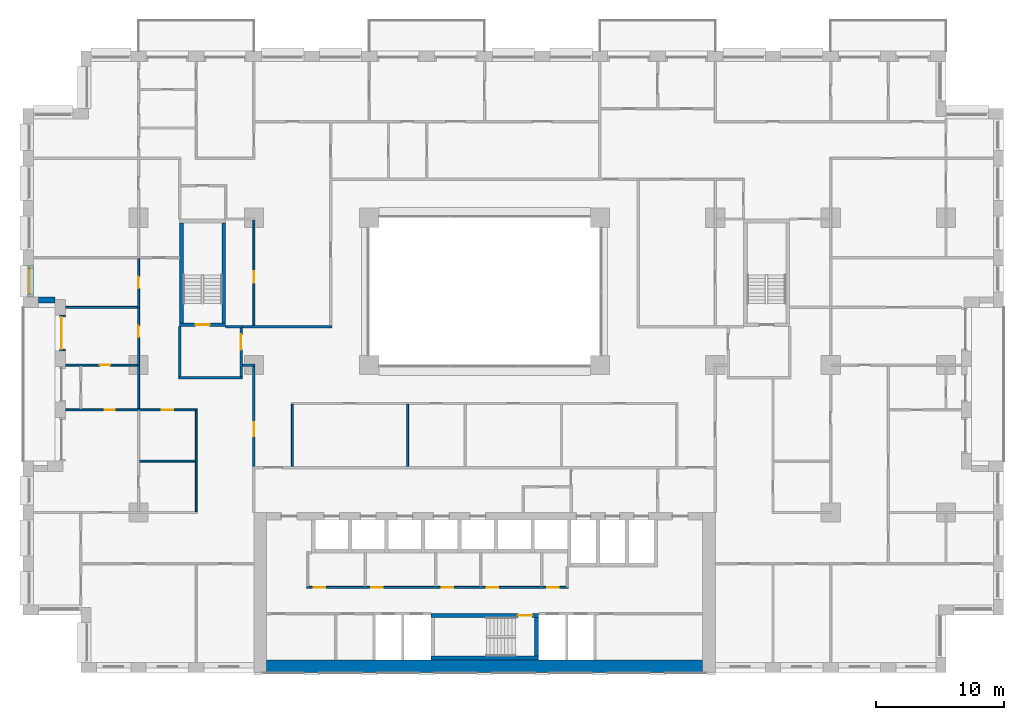
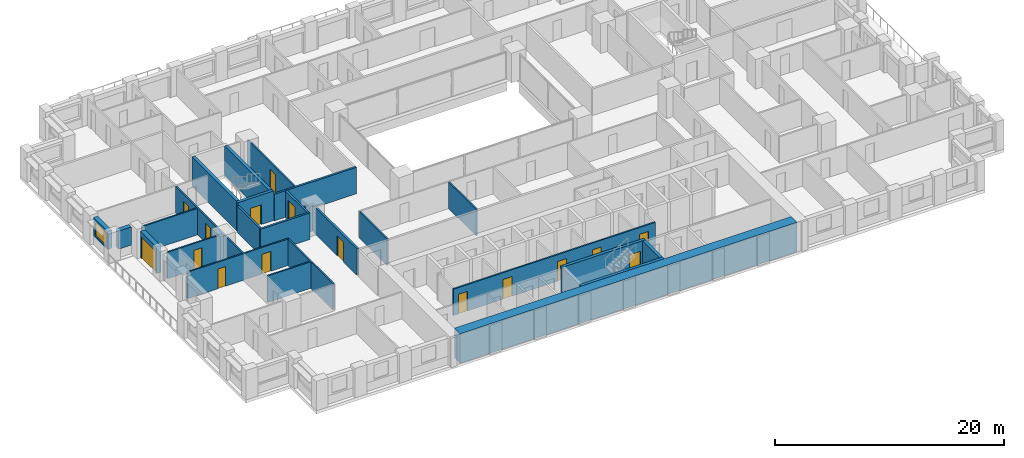
# One storey, part 10 of 20: 27 walls, 16 doors, 1 window, 17 openings.
"""IFC4 building model written with IfcOpenShell, lengths in metres."""

from ifc_helpers import new_model, si_unit, direction, frame, frame_2d, origin, place, context, subcontext, project, spatial, rectangle, extrude, material, layer, layer_set, type_object, element, fill, save


model = new_model("IFC4")

# Units and contexts
model_context = context("Model", 3, precision=1e-05, world=origin(), true_north=direction((0.0, 1.0)))
body_context = subcontext(model_context, "Body", "Model", "MODEL_VIEW")
ifc_project = project(units=[si_unit("LENGTHUNIT", "METRE"), si_unit("AREAUNIT", "SQUARE_METRE"), si_unit("VOLUMEUNIT", "CUBIC_METRE"), si_unit("PLANEANGLEUNIT", "RADIAN"), si_unit("MASSUNIT", "GRAM", prefix="KILO")], contexts=[model_context])

# Site, building, storey
site_placement = place(None, origin())
site = spatial("IfcSite", under=ifc_project, at=site_placement, CompositionType="ELEMENT")
building_placement = place(site_placement, origin())
building = spatial("IfcBuilding", under=site, at=building_placement, Name="Brigalow Station Residences", CompositionType="ELEMENT")
storey_placement = place(building_placement, frame((0.0, 0.0, 66.75)))
storey = spatial("IfcBuildingStorey", under=building, at=storey_placement, Name="L19", CompositionType="ELEMENT", Elevation=66.75)

# Wall, opening, window
ifc_material_1 = material(Name="Clay brick masonry", Category="masonry")
ifc_layer_1 = layer(ifc_material_1, 0.449951171875)
ifc_layer_set_1 = layer_set([ifc_layer_1], Name="BRICK INFILL WALL 450")
wall_type_1 = type_object("IfcWallType", Name="BRICK INFILL WALL 450", PredefinedType="SOLIDWALL", material=ifc_layer_set_1)
wall_1_placement = place(storey_placement, frame((0.574951171875, 31.77490234375, 0.89990234375), z_axis=(0.0, 0.0, 1.0), x_axis=(0.0, -1.0, 0.0)))
wall_1 = element("IfcWall", 1, at=wall_1_placement, inside=storey, type_object=wall_type_1, Name="L19/ewall/W-L19-45", PredefinedType="SOLIDWALL", context=body_context, shape_type="SweptSolid", body=[
    extrude(rectangle(XDim=2.474853515625, YDim=0.449951171875, at=frame_2d((1.2373046875, 0.0))), origin(), (0.0, 0.0, 1.0), 1.93017578125),
])
opening_1_placement = place(wall_1_placement, frame((0.237548828125, 0.0, 0.14990234375)))
opening_1 = element("IfcOpeningElement", 2, at=opening_1_placement, cuts=wall_1, Name="Opening WT-7", PredefinedType="OPENING", context=body_context, shape_type="SweptSolid", body=[
    extrude(rectangle(XDim=2.0, YDim=1.5, at=frame_2d((1.0, 0.75))), frame((0.0, 0.23486328125, 0.0), z_axis=(0.0, -1.0, 0.0), x_axis=(1.0, 0.0, 0.0)), (0.0, 0.0, 1.0), 0.469970703125),
])
ifc_material_2 = material(Name="Anodised aluminium frame with double glazing", Category="aluminium")
window_type = type_object("IfcWindowType", Name="WINDOW 2000x1500", PartitioningType="SINGLE_PANEL", PredefinedType="WINDOW", material=ifc_material_2)
window_placement = place(opening_1_placement, origin())
window = element("IfcWindow", 3, at=window_placement, inside=storey, type_object=window_type, Name="L19/window/W-L19-45", OverallHeight=1.5, OverallWidth=2.0, PartitioningType="SINGLE_PANEL", PredefinedType="WINDOW", context=body_context, shape_type="SweptSolid", body=[
    extrude(rectangle(XDim=2.0, YDim=1.5, at=frame_2d((1.0, 0.75))), frame((0.0, -0.06494140625, 0.0), z_axis=(0.0, -1.0, 0.0), x_axis=(1.0, 0.0, 0.0)), (0.0, 0.0, 1.0), 0.06005859375),
])
fill(opening_1, window)

# Wall
wall_2_placement = place(storey_placement, frame((1.199951171875, 29.074951171875, 0.89990234375), z_axis=(0.0, 0.0, 1.0), x_axis=(1.0, 0.0, 0.0)))
element("IfcWall", 4, at=wall_2_placement, inside=storey, type_object=wall_type_1, Name="L19/ewall/W-L19-46", PredefinedType="SOLIDWALL", context=body_context, shape_type="SweptSolid", body=[
    extrude(rectangle(XDim=1.300048828125, YDim=0.449951171875, at=frame_2d((0.64990234375, 0.0))), origin(), (0.0, 0.0, 1.0), 1.93017578125),
])

# Wall, opening, door
wall_3_placement = place(storey_placement, frame((3.074951171875, 27.89990234375, 0.0), z_axis=(0.0, 0.0, 1.0), x_axis=(0.0, -1.0, 0.0)))
wall_3 = element("IfcWall", 5, at=wall_3_placement, inside=storey, type_object=wall_type_1, Name="L19/ewall/W-L19-47", PredefinedType="SOLIDWALL", context=body_context, shape_type="SweptSolid", body=[
    extrude(rectangle(XDim=2.7998046875, YDim=0.449951171875, at=frame_2d((1.39990234375, 0.0))), origin(), (0.0, 0.0, 1.0), 2.830078125),
])
opening_2_placement = place(wall_3_placement, frame((0.14990234375, 0.0, 0.0)))
opening_2 = element("IfcOpeningElement", 6, at=opening_2_placement, cuts=wall_3, Name="Opening D-B2500", PredefinedType="OPENING", context=body_context, shape_type="SweptSolid", body=[
    extrude(rectangle(XDim=2.5, YDim=2.300048828125, at=frame_2d((1.25, 1.14990234375))), frame((0.0, 0.23486328125, 0.0), z_axis=(0.0, -1.0, 0.0), x_axis=(1.0, 0.0, 0.0)), (0.0, 0.0, 1.0), 0.469970703125),
])
ifc_material_3 = material(Name="Anodised aluminium frame with double glazing", Category="aluminium")
door_type_1 = type_object("IfcDoorType", Name="BALCONY SLIDING DOOR 2500x2300", OperationType="SLIDING_TO_LEFT", PredefinedType="DOOR", material=ifc_material_3)
door_1_placement = place(opening_2_placement, origin())
door_1 = element("IfcDoor", 7, at=door_1_placement, inside=storey, type_object=door_type_1, Name="L19/balcony-door/W-L19-47", OperationType="SLIDING_TO_LEFT", OverallHeight=2.300048828125, OverallWidth=2.5, PredefinedType="DOOR", context=body_context, shape_type="SweptSolid", body=[
    extrude(rectangle(XDim=2.5, YDim=2.300048828125, at=frame_2d((1.25, 1.14990234375))), frame((0.0, -0.06982421875, 0.0), z_axis=(0.0, -1.0, 0.0), x_axis=(1.0, 0.0, 0.0)), (0.0, 0.0, 1.0), 0.050048828125),
])
fill(opening_2, door_1)

# Walls
ifc_material_4 = material(Name="Concrete C80", Category="concrete")
ifc_layer_2 = layer(ifc_material_4, 1.0)
ifc_layer_set_2 = layer_set([ifc_layer_2], Name="CORE SHEAR WALL 1000 C80")
wall_type_2 = type_object("IfcWallType", Name="CORE SHEAR WALL 1000 C80", PredefinedType="SHEAR", material=ifc_layer_set_2)
wall_4_placement = place(storey_placement, frame((19.0, 0.5, 0.0), z_axis=(0.0, 0.0, 1.0), x_axis=(1.0, 0.0, 0.0)))
element("IfcWall", 8, at=wall_4_placement, inside=storey, type_object=wall_type_2, Name="CORE WALL OUT-S L19", PredefinedType="SHEAR", context=body_context, shape_type="SweptSolid", body=[
    extrude(rectangle(XDim=34.0, YDim=1.0, at=frame_2d((17.0, 0.0))), origin(), (0.0, 0.0, 1.0), 3.14990234375),
])
ifc_material_5 = material(Name="Concrete C80", Category="concrete")
ifc_layer_3 = layer(ifc_material_5, 0.300048828125)
ifc_layer_set_3 = layer_set([ifc_layer_3], Name="CORE SHEAR WALL 300 C80")
wall_type_3 = type_object("IfcWallType", Name="CORE SHEAR WALL 300 C80", PredefinedType="SHEAR", material=ifc_layer_set_3)
wall_5_placement = place(storey_placement, frame((31.800048828125, 1.14990234375, 0.0), z_axis=(0.0, 0.0, 1.0), x_axis=(1.0, 0.0, 0.0)))
element("IfcWall", 9, at=wall_5_placement, inside=storey, type_object=wall_type_3, Name="CORE WALL ST-S2-S L19", PredefinedType="SHEAR", context=body_context, shape_type="SweptSolid", body=[
    extrude(rectangle(XDim=8.39990234375, YDim=0.300048828125, at=frame_2d((4.199951171875, 0.0))), origin(), (0.0, 0.0, 1.0), 3.14990234375),
])

# Wall, opening, door
wall_6_placement = place(storey_placement, frame((31.800048828125, 4.449951171875, 0.0), z_axis=(0.0, 0.0, 1.0), x_axis=(1.0, 0.0, 0.0)))
wall_6 = element("IfcWall", 10, at=wall_6_placement, inside=storey, type_object=wall_type_3, Name="CORE WALL ST-S2-N L19", PredefinedType="SHEAR", context=body_context, shape_type="SweptSolid", body=[
    extrude(rectangle(XDim=8.39990234375, YDim=0.300048828125, at=frame_2d((4.199951171875, 0.0))), origin(), (0.0, 0.0, 1.0), 3.14990234375),
])
opening_3_placement = place(wall_6_placement, frame((6.800048828125, 0.0, 0.0)))
opening_3 = element("IfcOpeningElement", 11, at=opening_3_placement, cuts=wall_6, Name="Opening D-5001", PredefinedType="OPENING", context=body_context, shape_type="SweptSolid", body=[
    extrude(rectangle(XDim=1.10009765625, YDim=2.10009765625, at=frame_2d((0.550048828125, 1.050048828125))), frame((0.0, 0.16015625, 0.0), z_axis=(0.0, -1.0, 0.0), x_axis=(1.0, 0.0, 0.0)), (0.0, 0.0, 1.0), 0.320068359375),
])
ifc_material_6 = material(Name="Steel fire door leaf in steel frame", Category="steel")
door_type_2 = type_object("IfcDoorType", Name="STAIR DOOR 1100 x 2100 FD60S", OperationType="SINGLE_SWING_LEFT", PredefinedType="DOOR", material=ifc_material_6)
door_2_placement = place(opening_3_placement, frame((1.10009765625, 0.0, 0.0), z_axis=(0.0, 0.0, 1.0), x_axis=(-1.0, 0.0, 0.0)))
door_2 = element("IfcDoor", 12, at=door_2_placement, inside=storey, type_object=door_type_2, Name="D-5001", OperationType="SINGLE_SWING_LEFT", OverallHeight=2.10009765625, OverallWidth=1.10009765625, PredefinedType="DOOR", context=body_context, shape_type="SweptSolid", body=[
    extrude(rectangle(XDim=1.10009765625, YDim=2.10009765625, at=frame_2d((0.550048828125, 1.050048828125))), frame((0.0, 0.02490234375, 0.0), z_axis=(0.0, -1.0, 0.0), x_axis=(1.0, 0.0, 0.0)), (0.0, 0.0, 1.0), 0.050048828125),
])
fill(opening_3, door_2)

# Wall
wall_7_placement = place(storey_placement, frame((40.050048828125, 1.300048828125, 0.0), z_axis=(0.0, 0.0, 1.0), x_axis=(0.0, 1.0, 0.0)))
element("IfcWall", 13, at=wall_7_placement, inside=storey, type_object=wall_type_3, Name="CORE WALL ST-S2-E L19", PredefinedType="SHEAR", context=body_context, shape_type="SweptSolid", body=[
    extrude(rectangle(XDim=3.0, YDim=0.300048828125, at=frame_2d((1.5, 0.0))), origin(), (0.0, 0.0, 1.0), 3.14990234375),
])

# Wall, opening, door
wall_8_placement = place(storey_placement, frame((12.199951171875, 27.14990234375, 0.0), z_axis=(0.0, 0.0, 1.0), x_axis=(1.0, 0.0, 0.0)))
wall_8 = element("IfcWall", 14, at=wall_8_placement, inside=storey, type_object=wall_type_3, Name="CORE WALL ST-S1-S L19", PredefinedType="SHEAR", context=body_context, shape_type="SweptSolid", body=[
    extrude(rectangle(XDim=3.60009765625, YDim=0.300048828125, at=frame_2d((1.800048828125, 0.0))), origin(), (0.0, 0.0, 1.0), 3.14990234375),
])
opening_4_placement = place(wall_8_placement, frame((1.25, 0.0, 0.0)))
opening_4 = element("IfcOpeningElement", 15, at=opening_4_placement, cuts=wall_8, Name="Opening D-5015", PredefinedType="OPENING", context=body_context, shape_type="SweptSolid", body=[
    extrude(rectangle(XDim=1.10009765625, YDim=2.10009765625, at=frame_2d((0.550048828125, 1.050048828125))), frame((0.0, 0.16015625, 0.0), z_axis=(0.0, -1.0, 0.0), x_axis=(1.0, 0.0, 0.0)), (0.0, 0.0, 1.0), 0.320068359375),
])
door_3_placement = place(opening_4_placement, origin())
door_3 = element("IfcDoor", 16, at=door_3_placement, inside=storey, type_object=door_type_2, Name="D-5015", OperationType="SINGLE_SWING_LEFT", OverallHeight=2.10009765625, OverallWidth=1.10009765625, PredefinedType="DOOR", context=body_context, shape_type="SweptSolid", body=[
    extrude(rectangle(XDim=1.10009765625, YDim=2.10009765625, at=frame_2d((0.550048828125, 1.050048828125))), frame((0.0, 0.02490234375, 0.0), z_axis=(0.0, -1.0, 0.0), x_axis=(1.0, 0.0, 0.0)), (0.0, 0.0, 1.0), 0.050048828125),
])
fill(opening_4, door_3)

# Walls
for number, where, z_axis, x_axis, name in (
    (17, (12.35009765625, 27.300048828125, 0.0), (0.0, 0.0, 1.0), (0.0, 1.0, 0.0), "CORE WALL ST-S1-W L19"),
    (18, (15.64990234375, 27.300048828125, 0.0), (0.0, 0.0, 1.0), (0.0, 1.0, 0.0), "CORE WALL ST-S1-E L19"),
):
    element("IfcWall", number, at=place(storey_placement, frame(where, z_axis=z_axis, x_axis=x_axis)), inside=storey, type_object=wall_type_3, Name=name, PredefinedType="SHEAR", context=body_context, shape_type="SweptSolid", body=[
        extrude(rectangle(XDim=7.800048828125, YDim=0.300048828125, at=frame_2d((3.89990234375, 0.0))), origin(), (0.0, 0.0, 1.0), 3.14990234375),
    ])
ifc_material_7 = material(Name="Concrete blockwork", Category="masonry")
ifc_layer_4 = layer(ifc_material_7, 0.199951171875)
ifc_layer_set_4 = layer_set([ifc_layer_4], Name="FIRE RATED CORE PARTITION 200")
wall_type_4 = type_object("IfcWallType", Name="FIRE RATED CORE PARTITION 200", PredefinedType="PARTITIONING", material=ifc_layer_set_4)
wall_9_placement = place(storey_placement, frame((12.10009765625, 23.0, 0.0), z_axis=(0.0, 0.0, 1.0), x_axis=(1.0, 0.0, 0.0)))
element("IfcWall", 19, at=wall_9_placement, inside=storey, type_object=wall_type_4, Name="PW-5023", PredefinedType="PARTITIONING", context=body_context, shape_type="SweptSolid", body=[
    extrude(rectangle(XDim=5.0, YDim=0.199951171875, at=frame_2d((2.5, 0.0))), origin(), (0.0, 0.0, 1.0), 2.830078125),
])
wall_10_placement = place(storey_placement, frame((15.800048828125, 27.0, 0.0), z_axis=(0.0, 0.0, 1.0), x_axis=(1.0, 0.0, 0.0)))
element("IfcWall", 20, at=wall_10_placement, inside=storey, type_object=wall_type_4, Name="PW-5025", PredefinedType="PARTITIONING", context=body_context, shape_type="SweptSolid", body=[
    extrude(rectangle(XDim=1.300048828125, YDim=0.199951171875, at=frame_2d((0.64990234375, 0.0))), origin(), (0.0, 0.0, 1.0), 2.830078125),
])
wall_11_placement = place(storey_placement, frame((12.199951171875, 23.10009765625, 0.0), z_axis=(0.0, 0.0, 1.0), x_axis=(0.0, 1.0, 0.0)))
element("IfcWall", 21, at=wall_11_placement, inside=storey, type_object=wall_type_4, Name="PW-5034", PredefinedType="PARTITIONING", context=body_context, shape_type="SweptSolid", body=[
    extrude(rectangle(XDim=3.89990234375, YDim=0.199951171875, at=frame_2d((1.949951171875, 0.0))), origin(), (0.0, 0.0, 1.0), 2.830078125),
])

# Wall, opening, door
wall_12_placement = place(storey_placement, frame((17.0, 23.10009765625, 0.0), z_axis=(0.0, 0.0, 1.0), x_axis=(0.0, 1.0, 0.0)))
wall_12 = element("IfcWall", 22, at=wall_12_placement, inside=storey, type_object=wall_type_4, Name="PW-5035", PredefinedType="PARTITIONING", context=body_context, shape_type="SweptSolid", body=[
    extrude(rectangle(XDim=3.7998046875, YDim=0.199951171875, at=frame_2d((1.89990234375, 0.0))), origin(), (0.0, 0.0, 1.0), 2.830078125),
])
opening_5_placement = place(wall_12_placement, frame((2.10009765625, 0.0, 0.0)))
opening_5 = element("IfcOpeningElement", 23, at=opening_5_placement, cuts=wall_12, Name="Opening D-5016", PredefinedType="OPENING", context=body_context, shape_type="SweptSolid", body=[
    extrude(rectangle(XDim=1.199951171875, YDim=2.10009765625, at=frame_2d((0.60009765625, 1.050048828125))), frame((0.0, 0.10986328125, 0.0), z_axis=(0.0, -1.0, 0.0), x_axis=(1.0, 0.0, 0.0)), (0.0, 0.0, 1.0), 0.219970703125),
])
ifc_material_8 = material(Name="Steel fire door leaf in steel frame", Category="steel")
door_type_3 = type_object("IfcDoorType", Name="STAIR LOBBY DOOR 1200 x 2100 FD60S", OperationType="SINGLE_SWING_LEFT", PredefinedType="DOOR", material=ifc_material_8)
door_4_placement = place(opening_5_placement, origin())
door_4 = element("IfcDoor", 24, at=door_4_placement, inside=storey, type_object=door_type_3, Name="D-5016", OperationType="SINGLE_SWING_RIGHT", OverallHeight=2.10009765625, OverallWidth=1.199951171875, PredefinedType="DOOR", context=body_context, shape_type="SweptSolid", body=[
    extrude(rectangle(XDim=1.199951171875, YDim=2.10009765625, at=frame_2d((0.60009765625, 1.050048828125))), frame((0.0, 0.02490234375, 0.0), z_axis=(0.0, -1.0, 0.0), x_axis=(1.0, 0.0, 0.0)), (0.0, 0.0, 1.0), 0.050048828125),
])
fill(opening_5, door_4)

ifc_material_9 = material(Name="Plasterboard on steel stud partition", Category="steel")
ifc_layer_5 = layer(ifc_material_9, 0.14990234375)
ifc_layer_set_5 = layer_set([ifc_layer_5], Name="FLAT PARTITION 150")
wall_type_5 = type_object("IfcWallType", Name="FLAT PARTITION 150", PredefinedType="PARTITIONING", material=ifc_layer_set_5)
wall_13_placement = place(storey_placement, frame((3.300048828125, 24.0, 0.0), z_axis=(0.0, 0.0, 1.0), x_axis=(1.0, 0.0, 0.0)))
wall_13 = element("IfcWall", 25, at=wall_13_placement, inside=storey, type_object=wall_type_5, Name="PW-1G02", PredefinedType="PARTITIONING", context=body_context, shape_type="SweptSolid", body=[
    extrude(rectangle(XDim=5.625, YDim=0.14990234375, at=frame_2d((2.8125, 0.0))), origin(), (0.0, 0.0, 1.0), 2.830078125),
])
opening_6_placement = place(wall_13_placement, frame((2.675048828125, 0.0, 0.0)))
opening_6 = element("IfcOpeningElement", 26, at=opening_6_placement, cuts=wall_13, Name="Opening D-1G04", PredefinedType="OPENING", context=body_context, shape_type="SweptSolid", body=[
    extrude(rectangle(XDim=0.800048828125, YDim=2.10009765625, at=frame_2d((0.39990234375, 1.050048828125))), frame((0.0, 0.0849609375, 0.0), z_axis=(0.0, -1.0, 0.0), x_axis=(1.0, 0.0, 0.0)), (0.0, 0.0, 1.0), 0.169921875),
])
ifc_material_10 = material(Name="Solid-core timber door leaf", Category="wood")
door_type_4 = type_object("IfcDoorType", Name="INTERNAL DOOR 800 x 2100", OperationType="SINGLE_SWING_LEFT", PredefinedType="DOOR", material=ifc_material_10)
door_5_placement = place(opening_6_placement, frame((0.800048828125, 0.0, 0.0), z_axis=(0.0, 0.0, 1.0), x_axis=(-1.0, 0.0, 0.0)))
door_5 = element("IfcDoor", 27, at=door_5_placement, inside=storey, type_object=door_type_4, Name="D-1G04", OperationType="SINGLE_SWING_RIGHT", OverallHeight=2.10009765625, OverallWidth=0.800048828125, PredefinedType="DOOR", context=body_context, shape_type="SweptSolid", body=[
    extrude(rectangle(XDim=0.800048828125, YDim=2.10009765625, at=frame_2d((0.39990234375, 1.050048828125))), frame((0.0, 0.02490234375, 0.0), z_axis=(0.0, -1.0, 0.0), x_axis=(1.0, 0.0, 0.0)), (0.0, 0.0, 1.0), 0.050048828125),
])
fill(opening_6, door_5)

# Wall, openings, doors
wall_14_placement = place(storey_placement, frame((3.300048828125, 20.5, 0.0), z_axis=(0.0, 0.0, 1.0), x_axis=(1.0, 0.0, 0.0)))
wall_14 = element("IfcWall", 28, at=wall_14_placement, inside=storey, type_object=wall_type_5, Name="PW-1G15", PredefinedType="PARTITIONING", context=body_context, shape_type="SweptSolid", body=[
    extrude(rectangle(XDim=10.27490234375, YDim=0.14990234375, at=frame_2d((5.137451171875, 0.0))), origin(), (0.0, 0.0, 1.0), 2.830078125),
])
opening_7_placement = place(wall_14_placement, frame((7.5, 0.0, 0.0)))
opening_7 = element("IfcOpeningElement", 29, at=opening_7_placement, cuts=wall_14, Name="Opening D-1G03", PredefinedType="OPENING", context=body_context, shape_type="SweptSolid", body=[
    extrude(rectangle(XDim=0.89990234375, YDim=2.10009765625, at=frame_2d((0.449951171875, 1.050048828125))), frame((0.0, 0.0849609375, 0.0), z_axis=(0.0, -1.0, 0.0), x_axis=(1.0, 0.0, 0.0)), (0.0, 0.0, 1.0), 0.169921875),
])
opening_8_placement = place(wall_14_placement, frame((3.050048828125, 0.0, 0.0)))
opening_8 = element("IfcOpeningElement", 30, at=opening_8_placement, cuts=wall_14, Name="Opening D-1G09", PredefinedType="OPENING", context=body_context, shape_type="SweptSolid", body=[
    extrude(rectangle(XDim=0.800048828125, YDim=2.10009765625, at=frame_2d((0.39990234375, 1.050048828125))), frame((0.0, 0.0849609375, 0.0), z_axis=(0.0, -1.0, 0.0), x_axis=(1.0, 0.0, 0.0)), (0.0, 0.0, 1.0), 0.169921875),
])
door_6_placement = place(opening_8_placement, origin())
door_6 = element("IfcDoor", 31, at=door_6_placement, inside=storey, type_object=door_type_4, Name="D-1G09", OperationType="SINGLE_SWING_RIGHT", OverallHeight=2.10009765625, OverallWidth=0.800048828125, PredefinedType="DOOR", context=body_context, shape_type="SweptSolid", body=[
    extrude(rectangle(XDim=0.800048828125, YDim=2.10009765625, at=frame_2d((0.39990234375, 1.050048828125))), frame((0.0, 0.02490234375, 0.0), z_axis=(0.0, -1.0, 0.0), x_axis=(1.0, 0.0, 0.0)), (0.0, 0.0, 1.0), 0.050048828125),
])
fill(opening_8, door_6)
ifc_material_11 = material(Name="Solid-core timber door leaf", Category="wood")
door_type_5 = type_object("IfcDoorType", Name="INTERNAL DOOR 900 x 2100", OperationType="SINGLE_SWING_LEFT", PredefinedType="DOOR", material=ifc_material_11)
door_7_placement = place(opening_7_placement, frame((0.89990234375, 0.0, 0.0), z_axis=(0.0, 0.0, 1.0), x_axis=(-1.0, 0.0, 0.0)))
door_7 = element("IfcDoor", 32, at=door_7_placement, inside=storey, type_object=door_type_5, Name="D-1G03", OperationType="SINGLE_SWING_LEFT", OverallHeight=2.10009765625, OverallWidth=0.89990234375, PredefinedType="DOOR", context=body_context, shape_type="SweptSolid", body=[
    extrude(rectangle(XDim=0.89990234375, YDim=2.10009765625, at=frame_2d((0.449951171875, 1.050048828125))), frame((0.0, 0.02490234375, 0.0), z_axis=(0.0, -1.0, 0.0), x_axis=(1.0, 0.0, 0.0)), (0.0, 0.0, 1.0), 0.050048828125),
])
fill(opening_7, door_7)

# Walls
wall_15_placement = place(storey_placement, frame((9.074951171875, 16.5, 0.0), z_axis=(0.0, 0.0, 1.0), x_axis=(1.0, 0.0, 0.0)))
element("IfcWall", 33, at=wall_15_placement, inside=storey, type_object=wall_type_5, Name="PW-1G19", PredefinedType="PARTITIONING", context=body_context, shape_type="SweptSolid", body=[
    extrude(rectangle(XDim=4.35009765625, YDim=0.14990234375, at=frame_2d((2.175048828125, 0.0))), origin(), (0.0, 0.0, 1.0), 2.830078125),
])
wall_16_placement = place(storey_placement, frame((3.300048828125, 28.5, 0.0), z_axis=(0.0, 0.0, 1.0), x_axis=(1.0, 0.0, 0.0)))
element("IfcWall", 34, at=wall_16_placement, inside=storey, type_object=wall_type_5, Name="PW-1G21", PredefinedType="PARTITIONING", context=body_context, shape_type="SweptSolid", body=[
    extrude(rectangle(XDim=5.625, YDim=0.14990234375, at=frame_2d((2.8125, 0.0))), origin(), (0.0, 0.0, 1.0), 2.830078125),
])

# Wall, opening, door
wall_17_placement = place(storey_placement, frame((18.0, 27.10009765625, 0.0), z_axis=(0.0, 0.0, 1.0), x_axis=(0.0, 1.0, 0.0)))
wall_17 = element("IfcWall", 35, at=wall_17_placement, inside=storey, type_object=wall_type_5, Name="PW-1G39", PredefinedType="PARTITIONING", context=body_context, shape_type="SweptSolid", body=[
    extrude(rectangle(XDim=8.224853515625, YDim=0.14990234375, at=frame_2d((4.1123046875, 0.0))), origin(), (0.0, 0.0, 1.0), 2.830078125),
])
opening_9_placement = place(wall_17_placement, frame((3.324951171875, 0.0, 0.0)))
opening_9 = element("IfcOpeningElement", 36, at=opening_9_placement, cuts=wall_17, Name="Opening D-1G29", PredefinedType="OPENING", context=body_context, shape_type="SweptSolid", body=[
    extrude(rectangle(XDim=0.89990234375, YDim=2.10009765625, at=frame_2d((0.449951171875, 1.050048828125))), frame((0.0, 0.0849609375, 0.0), z_axis=(0.0, -1.0, 0.0), x_axis=(1.0, 0.0, 0.0)), (0.0, 0.0, 1.0), 0.169921875),
])
door_8_placement = place(opening_9_placement, origin())
door_8 = element("IfcDoor", 37, at=door_8_placement, inside=storey, type_object=door_type_5, Name="D-1G29", OperationType="SINGLE_SWING_LEFT", OverallHeight=2.10009765625, OverallWidth=0.89990234375, PredefinedType="DOOR", context=body_context, shape_type="SweptSolid", body=[
    extrude(rectangle(XDim=0.89990234375, YDim=2.10009765625, at=frame_2d((0.449951171875, 1.050048828125))), frame((0.0, 0.02490234375, 0.0), z_axis=(0.0, -1.0, 0.0), x_axis=(1.0, 0.0, 0.0)), (0.0, 0.0, 1.0), 0.050048828125),
])
fill(opening_9, door_8)

# Walls
wall_18_placement = place(storey_placement, frame((21.0, 16.10009765625, 0.0), z_axis=(0.0, 0.0, 1.0), x_axis=(0.0, 1.0, 0.0)))
element("IfcWall", 38, at=wall_18_placement, inside=storey, type_object=wall_type_5, Name="PW-1G45", PredefinedType="PARTITIONING", context=body_context, shape_type="SweptSolid", body=[
    extrude(rectangle(XDim=4.824951171875, YDim=0.14990234375, at=frame_2d((2.41259765625, 0.0))), origin(), (0.0, 0.0, 1.0), 2.830078125),
])
wall_19_placement = place(storey_placement, frame((13.5, 12.574951171875, 0.0), z_axis=(0.0, 0.0, 1.0), x_axis=(0.0, 1.0, 0.0)))
element("IfcWall", 39, at=wall_19_placement, inside=storey, type_object=wall_type_5, Name="PW-1G51", PredefinedType="PARTITIONING", context=body_context, shape_type="SweptSolid", body=[
    extrude(rectangle(XDim=7.85009765625, YDim=0.14990234375, at=frame_2d((3.925048828125, 0.0))), origin(), (0.0, 0.0, 1.0), 2.830078125),
])

# Wall, openings, doors
wall_20_placement = place(storey_placement, frame((9.0, 20.574951171875, 0.0), z_axis=(0.0, 0.0, 1.0), x_axis=(0.0, 1.0, 0.0)))
wall_20 = element("IfcWall", 40, at=wall_20_placement, inside=storey, type_object=wall_type_5, Name="PW-1G56", PredefinedType="PARTITIONING", context=body_context, shape_type="SweptSolid", body=[
    extrude(rectangle(XDim=11.72509765625, YDim=0.14990234375, at=frame_2d((5.862548828125, 0.0))), origin(), (0.0, 0.0, 1.0), 2.830078125),
])
opening_10_placement = place(wall_20_placement, frame((5.60009765625, 0.0, 0.0)))
opening_10 = element("IfcOpeningElement", 41, at=opening_10_placement, cuts=wall_20, Name="Opening D-1G05", PredefinedType="OPENING", context=body_context, shape_type="SweptSolid", body=[
    extrude(rectangle(XDim=0.89990234375, YDim=2.10009765625, at=frame_2d((0.449951171875, 1.050048828125))), frame((0.0, 0.0849609375, 0.0), z_axis=(0.0, -1.0, 0.0), x_axis=(1.0, 0.0, 0.0)), (0.0, 0.0, 1.0), 0.169921875),
])
opening_11_placement = place(wall_20_placement, frame((9.4130859375, 0.0, 0.0)))
opening_11 = element("IfcOpeningElement", 42, at=opening_11_placement, cuts=wall_20, Name="Opening D-1G06", PredefinedType="OPENING", context=body_context, shape_type="SweptSolid", body=[
    extrude(rectangle(XDim=0.89990234375, YDim=2.10009765625, at=frame_2d((0.449951171875, 1.050048828125))), frame((0.0, 0.0849609375, 0.0), z_axis=(0.0, -1.0, 0.0), x_axis=(1.0, 0.0, 0.0)), (0.0, 0.0, 1.0), 0.169921875),
])
door_9_placement = place(opening_10_placement, origin())
door_9 = element("IfcDoor", 43, at=door_9_placement, inside=storey, type_object=door_type_5, Name="D-1G05", OperationType="SINGLE_SWING_RIGHT", OverallHeight=2.10009765625, OverallWidth=0.89990234375, PredefinedType="DOOR", context=body_context, shape_type="SweptSolid", body=[
    extrude(rectangle(XDim=0.89990234375, YDim=2.10009765625, at=frame_2d((0.449951171875, 1.050048828125))), frame((0.0, 0.02490234375, 0.0), z_axis=(0.0, -1.0, 0.0), x_axis=(1.0, 0.0, 0.0)), (0.0, 0.0, 1.0), 0.050048828125),
])
fill(opening_10, door_9)
door_10_placement = place(opening_11_placement, origin())
door_10 = element("IfcDoor", 44, at=door_10_placement, inside=storey, type_object=door_type_5, Name="D-1G06", OperationType="SINGLE_SWING_RIGHT", OverallHeight=2.10009765625, OverallWidth=0.89990234375, PredefinedType="DOOR", context=body_context, shape_type="SweptSolid", body=[
    extrude(rectangle(XDim=0.89990234375, YDim=2.10009765625, at=frame_2d((0.449951171875, 1.050048828125))), frame((0.0, 0.02490234375, 0.0), z_axis=(0.0, -1.0, 0.0), x_axis=(1.0, 0.0, 0.0)), (0.0, 0.0, 1.0), 0.050048828125),
])
fill(opening_11, door_10)

# Walls
wall_21_placement = place(storey_placement, frame((30.0, 16.10009765625, 0.0), z_axis=(0.0, 0.0, 1.0), x_axis=(0.0, 1.0, 0.0)))
element("IfcWall", 45, at=wall_21_placement, inside=storey, type_object=wall_type_5, Name="PW-1G81", PredefinedType="PARTITIONING", context=body_context, shape_type="SweptSolid", body=[
    extrude(rectangle(XDim=4.824951171875, YDim=0.14990234375, at=frame_2d((2.41259765625, 0.0))), origin(), (0.0, 0.0, 1.0), 2.830078125),
])
ifc_material_12 = material(Name="Plasterboard on steel stud partition", Category="steel")
ifc_layer_6 = layer(ifc_material_12, 0.199951171875)
ifc_layer_set_6 = layer_set([ifc_layer_6], Name="PARTY AND CORRIDOR WALL 200")
wall_type_6 = type_object("IfcWallType", Name="PARTY AND CORRIDOR WALL 200", PredefinedType="PARTITIONING", material=ifc_layer_set_6)
wall_22_placement = place(storey_placement, frame((17.10009765625, 24.0, 0.0), z_axis=(0.0, 0.0, 1.0), x_axis=(1.0, 0.0, 0.0)))
element("IfcWall", 46, at=wall_22_placement, inside=storey, type_object=wall_type_6, Name="PW-1G04", PredefinedType="PARTITIONING", context=body_context, shape_type="SweptSolid", body=[
    extrude(rectangle(XDim=1.0, YDim=0.199951171875, at=frame_2d((0.5, 0.0))), origin(), (0.0, 0.0, 1.0), 2.830078125),
])
wall_23_placement = place(storey_placement, frame((17.10009765625, 27.0, 0.0), z_axis=(0.0, 0.0, 1.0), x_axis=(1.0, 0.0, 0.0)))
element("IfcWall", 47, at=wall_23_placement, inside=storey, type_object=wall_type_6, Name="PW-1G06", PredefinedType="PARTITIONING", context=body_context, shape_type="SweptSolid", body=[
    extrude(rectangle(XDim=7.0, YDim=0.199951171875, at=frame_2d((3.5, 0.0))), origin(), (0.0, 0.0, 1.0), 2.830078125),
])

# Wall, opening, door
wall_24_placement = place(storey_placement, frame((18.0, 16.10009765625, 0.0), z_axis=(0.0, 0.0, 1.0), x_axis=(0.0, 1.0, 0.0)))
wall_24 = element("IfcWall", 48, at=wall_24_placement, inside=storey, type_object=wall_type_6, Name="PW-1G41", PredefinedType="PARTITIONING", context=body_context, shape_type="SweptSolid", body=[
    extrude(rectangle(XDim=7.7998046875, YDim=0.199951171875, at=frame_2d((3.89990234375, 0.0))), origin(), (0.0, 0.0, 1.0), 2.830078125),
])
opening_12_placement = place(wall_24_placement, frame((2.35009765625, 0.0, 0.0)))
opening_12 = element("IfcOpeningElement", 49, at=opening_12_placement, cuts=wall_24, Name="Opening D-1G17", PredefinedType="OPENING", context=body_context, shape_type="SweptSolid", body=[
    extrude(rectangle(XDim=1.10009765625, YDim=2.10009765625, at=frame_2d((0.550048828125, 1.050048828125))), frame((0.0, 0.10986328125, 0.0), z_axis=(0.0, -1.0, 0.0), x_axis=(1.0, 0.0, 0.0)), (0.0, 0.0, 1.0), 0.219970703125),
])
ifc_material_13 = material(Name="Solid-core timber door leaf", Category="wood")
door_type_6 = type_object("IfcDoorType", Name="FLAT ENTRANCE DOOR 1100 x 2100 FRL -/60/30", OperationType="SINGLE_SWING_LEFT", PredefinedType="DOOR", material=ifc_material_13)
door_11_placement = place(opening_12_placement, origin())
door_11 = element("IfcDoor", 50, at=door_11_placement, inside=storey, type_object=door_type_6, Name="D-1G17", OperationType="SINGLE_SWING_RIGHT", OverallHeight=2.10009765625, OverallWidth=1.10009765625, PredefinedType="DOOR", context=body_context, shape_type="SweptSolid", body=[
    extrude(rectangle(XDim=1.10009765625, YDim=2.10009765625, at=frame_2d((0.550048828125, 1.050048828125))), frame((0.0, 0.02490234375, 0.0), z_axis=(0.0, -1.0, 0.0), x_axis=(1.0, 0.0, 0.0)), (0.0, 0.0, 1.0), 0.050048828125),
])
fill(opening_12, door_11)

# Wall, openings, doors
ifc_material_14 = material(Name="Plasterboard on steel studs", Category="steel")
ifc_layer_7 = layer(ifc_material_14, 0.14990234375)
ifc_layer_set_7 = layer_set([ifc_layer_7], Name="SERVICE ROOM PARTITION 150")
wall_type_7 = type_object("IfcWallType", Name="SERVICE ROOM PARTITION 150", PredefinedType="PARTITIONING", material=ifc_layer_set_7)
wall_25_placement = place(storey_placement, frame((22.125, 6.64990234375, 0.0), z_axis=(0.0, 0.0, 1.0), x_axis=(1.0, 0.0, 0.0)))
wall_25 = element("IfcWall", 51, at=wall_25_placement, inside=storey, type_object=wall_type_7, Name="PW-5021", PredefinedType="PARTITIONING", context=body_context, shape_type="SweptSolid", body=[
    extrude(rectangle(XDim=20.39990234375, YDim=0.14990234375, at=frame_2d((10.199951171875, 0.0))), origin(), (0.0, 0.0, 1.0), 2.830078125),
])
opening_13_placement = place(wall_25_placement, frame((0.52490234375, 0.0, 0.0)))
opening_13 = element("IfcOpeningElement", 52, at=opening_13_placement, cuts=wall_25, Name="Opening D-5021", PredefinedType="OPENING", context=body_context, shape_type="SweptSolid", body=[
    extrude(rectangle(XDim=0.89990234375, YDim=2.10009765625, at=frame_2d((0.449951171875, 1.050048828125))), frame((0.0, 0.0849609375, 0.0), z_axis=(0.0, -1.0, 0.0), x_axis=(1.0, 0.0, 0.0)), (0.0, 0.0, 1.0), 0.169921875),
])
opening_14_placement = place(wall_25_placement, frame((5.02490234375, 0.0, 0.0)))
opening_14 = element("IfcOpeningElement", 53, at=opening_14_placement, cuts=wall_25, Name="Opening D-5031", PredefinedType="OPENING", context=body_context, shape_type="SweptSolid", body=[
    extrude(rectangle(XDim=0.89990234375, YDim=2.10009765625, at=frame_2d((0.449951171875, 1.050048828125))), frame((0.0, 0.0849609375, 0.0), z_axis=(0.0, -1.0, 0.0), x_axis=(1.0, 0.0, 0.0)), (0.0, 0.0, 1.0), 0.169921875),
])
opening_15_placement = place(wall_25_placement, frame((10.52490234375, 0.0, 0.0)))
opening_15 = element("IfcOpeningElement", 54, at=opening_15_placement, cuts=wall_25, Name="Opening D-5032", PredefinedType="OPENING", context=body_context, shape_type="SweptSolid", body=[
    extrude(rectangle(XDim=0.89990234375, YDim=2.10009765625, at=frame_2d((0.449951171875, 1.050048828125))), frame((0.0, 0.0849609375, 0.0), z_axis=(0.0, -1.0, 0.0), x_axis=(1.0, 0.0, 0.0)), (0.0, 0.0, 1.0), 0.169921875),
])
opening_16_placement = place(wall_25_placement, frame((14.02490234375, 0.0, 0.0)))
opening_16 = element("IfcOpeningElement", 55, at=opening_16_placement, cuts=wall_25, Name="Opening D-5033", PredefinedType="OPENING", context=body_context, shape_type="SweptSolid", body=[
    extrude(rectangle(XDim=0.89990234375, YDim=2.10009765625, at=frame_2d((0.449951171875, 1.050048828125))), frame((0.0, 0.0849609375, 0.0), z_axis=(0.0, -1.0, 0.0), x_axis=(1.0, 0.0, 0.0)), (0.0, 0.0, 1.0), 0.169921875),
])
opening_17_placement = place(wall_25_placement, frame((18.77490234375, 0.0, 0.0)))
opening_17 = element("IfcOpeningElement", 56, at=opening_17_placement, cuts=wall_25, Name="Opening D-5034", PredefinedType="OPENING", context=body_context, shape_type="SweptSolid", body=[
    extrude(rectangle(XDim=0.89990234375, YDim=2.10009765625, at=frame_2d((0.449951171875, 1.050048828125))), frame((0.0, 0.0849609375, 0.0), z_axis=(0.0, -1.0, 0.0), x_axis=(1.0, 0.0, 0.0)), (0.0, 0.0, 1.0), 0.169921875),
])
ifc_material_15 = material(Name="Steel door leaf in steel frame", Category="steel")
door_type_7 = type_object("IfcDoorType", Name="SERVICE ROOM DOOR 900 x 2100 FD60", OperationType="SINGLE_SWING_LEFT", PredefinedType="DOOR", material=ifc_material_15)
door_12_placement = place(opening_13_placement, origin())
door_12 = element("IfcDoor", 57, at=door_12_placement, inside=storey, type_object=door_type_7, Name="D-5021", OperationType="SINGLE_SWING_LEFT", OverallHeight=2.10009765625, OverallWidth=0.89990234375, PredefinedType="DOOR", context=body_context, shape_type="SweptSolid", body=[
    extrude(rectangle(XDim=0.89990234375, YDim=2.10009765625, at=frame_2d((0.449951171875, 1.050048828125))), frame((0.0, 0.02490234375, 0.0), z_axis=(0.0, -1.0, 0.0), x_axis=(1.0, 0.0, 0.0)), (0.0, 0.0, 1.0), 0.050048828125),
])
fill(opening_13, door_12)
door_13_placement = place(opening_14_placement, origin())
door_13 = element("IfcDoor", 58, at=door_13_placement, inside=storey, type_object=door_type_7, Name="D-5031", OperationType="SINGLE_SWING_LEFT", OverallHeight=2.10009765625, OverallWidth=0.89990234375, PredefinedType="DOOR", context=body_context, shape_type="SweptSolid", body=[
    extrude(rectangle(XDim=0.89990234375, YDim=2.10009765625, at=frame_2d((0.449951171875, 1.050048828125))), frame((0.0, 0.02490234375, 0.0), z_axis=(0.0, -1.0, 0.0), x_axis=(1.0, 0.0, 0.0)), (0.0, 0.0, 1.0), 0.050048828125),
])
fill(opening_14, door_13)
door_14_placement = place(opening_15_placement, origin())
door_14 = element("IfcDoor", 59, at=door_14_placement, inside=storey, type_object=door_type_7, Name="D-5032", OperationType="SINGLE_SWING_LEFT", OverallHeight=2.10009765625, OverallWidth=0.89990234375, PredefinedType="DOOR", context=body_context, shape_type="SweptSolid", body=[
    extrude(rectangle(XDim=0.89990234375, YDim=2.10009765625, at=frame_2d((0.449951171875, 1.050048828125))), frame((0.0, 0.02490234375, 0.0), z_axis=(0.0, -1.0, 0.0), x_axis=(1.0, 0.0, 0.0)), (0.0, 0.0, 1.0), 0.050048828125),
])
fill(opening_15, door_14)
door_15_placement = place(opening_16_placement, origin())
door_15 = element("IfcDoor", 60, at=door_15_placement, inside=storey, type_object=door_type_7, Name="D-5033", OperationType="SINGLE_SWING_LEFT", OverallHeight=2.10009765625, OverallWidth=0.89990234375, PredefinedType="DOOR", context=body_context, shape_type="SweptSolid", body=[
    extrude(rectangle(XDim=0.89990234375, YDim=2.10009765625, at=frame_2d((0.449951171875, 1.050048828125))), frame((0.0, 0.02490234375, 0.0), z_axis=(0.0, -1.0, 0.0), x_axis=(1.0, 0.0, 0.0)), (0.0, 0.0, 1.0), 0.050048828125),
])
fill(opening_16, door_15)
door_16_placement = place(opening_17_placement, origin())
door_16 = element("IfcDoor", 61, at=door_16_placement, inside=storey, type_object=door_type_7, Name="D-5034", OperationType="SINGLE_SWING_LEFT", OverallHeight=2.10009765625, OverallWidth=0.89990234375, PredefinedType="DOOR", context=body_context, shape_type="SweptSolid", body=[
    extrude(rectangle(XDim=0.89990234375, YDim=2.10009765625, at=frame_2d((0.449951171875, 1.050048828125))), frame((0.0, 0.02490234375, 0.0), z_axis=(0.0, -1.0, 0.0), x_axis=(1.0, 0.0, 0.0)), (0.0, 0.0, 1.0), 0.050048828125),
])
fill(opening_17, door_16)

save(model, "model.ifc")
